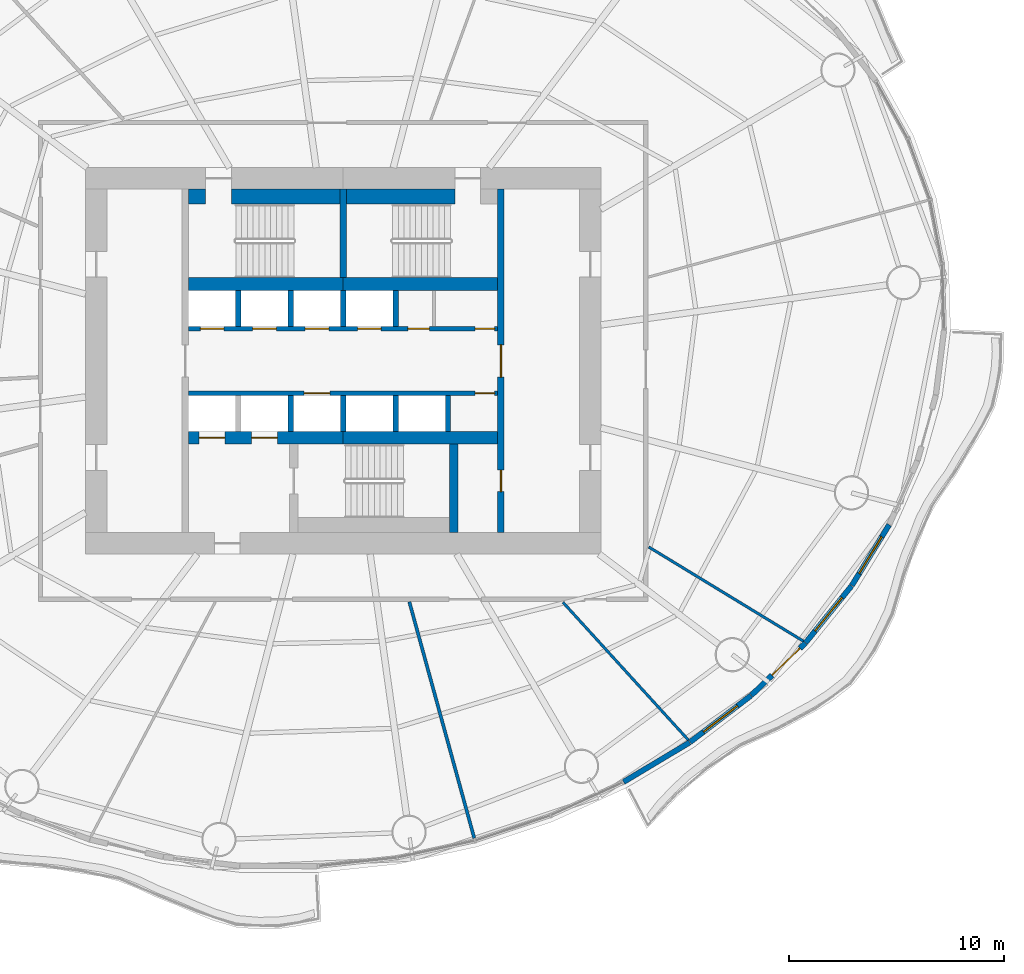
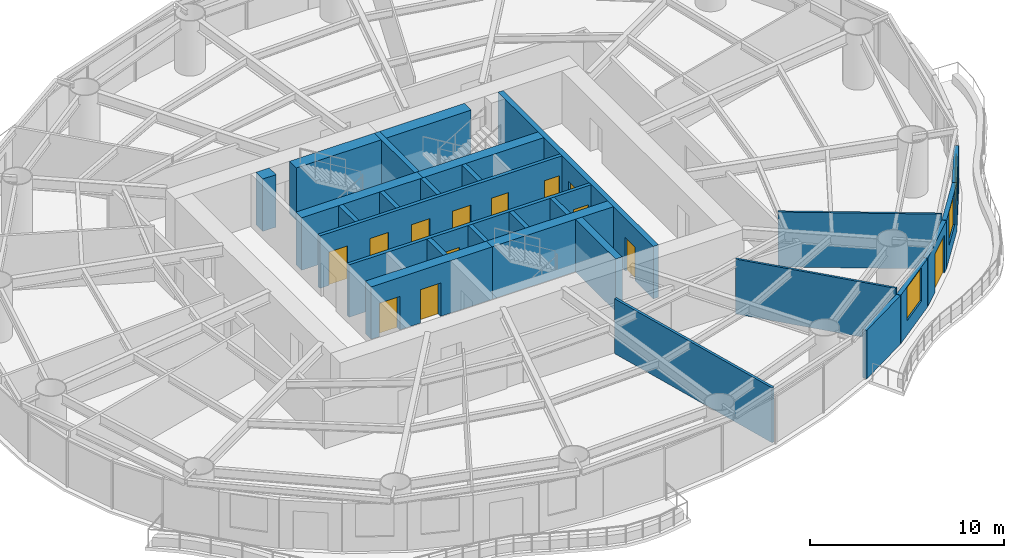
# One storey, part 9 of 16: 28 walls, 13 doors, 3 windows, 16 openings.
"""IFC4 building model written with IfcOpenShell, lengths in metres."""

import ifcopenshell
import ifcopenshell.guid

model = None  # the IFC model being written
_history = None  # IfcOwnerHistory: only IFC2X3 demands one
_inside = {}  # id of a spatial element -> (the spatial element, [elements in it])
_under = {}  # id of a project, library or spatial element -> (it, [spatial elements below it])
_declared = {}  # id of a project -> (the project, [libraries it declares])
_typed = {}  # id of a type object -> (the type object, [elements of that type])
_made_of = {}  # id of a material, layer set ... -> (it, [elements and type objects made of it])


def new_model(schema):
    """Start an empty IFC model of exactly this schema.

    Asked for "IFC4X3", IfcOpenShell would pick the latest addendum, in which some entities
    have other attributes; the version numbers below select the first issue.
    IFC2X3 requires an IfcOwnerHistory on every rooted entity: one is made here for all.
    """
    global model, _history
    if schema == "IFC4X3":
        model = ifcopenshell.file(schema_version=(4, 3, 0, 0))
    else:
        model = ifcopenshell.file(schema=schema)
    _inside.clear()
    _under.clear()
    _declared.clear()
    _typed.clear()
    _made_of.clear()
    _history = None
    if model.schema == "IFC2X3":
        org = make("IfcOrganization", Name="unknown")
        user = make(
            "IfcPersonAndOrganization",
            ThePerson=make("IfcPerson", FamilyName="unknown"),
            TheOrganization=org,
        )
        app = make(
            "IfcApplication",
            ApplicationDeveloper=org,
            Version="unknown",
            ApplicationFullName="unknown",
            ApplicationIdentifier="unknown",
        )
        _history = make(
            "IfcOwnerHistory",
            OwningUser=user,
            OwningApplication=app,
            ChangeAction="ADDED",
            CreationDate=0,
        )
    return model


def make(cls, **values):
    """One entity of the class cls with the attributes given. An attribute that is None is left unset."""
    return model.create_entity(
        cls, **{name: value for name, value in values.items() if value is not None}
    )


def rooted(cls, **values):
    """An entity with a GlobalId (a new one), such as an element, a storey or a relation."""
    return make(cls, GlobalId=ifcopenshell.guid.new(), OwnerHistory=_history, **values)


def si_unit(unit_type, name, prefix=None):
    """IfcSIUnit, for example si_unit("LENGTHUNIT", "METRE", prefix="MILLI")."""
    return make("IfcSIUnit", UnitType=unit_type, Prefix=prefix, Name=name)


def assignment(units):
    """IfcUnitAssignment: the units of a project."""
    return None if units is None else make("IfcUnitAssignment", Units=units)


def point(xyz):
    """IfcCartesianPoint."""
    return None if xyz is None else make("IfcCartesianPoint", Coordinates=xyz)


def direction(xyz):
    """IfcDirection."""
    return None if xyz is None else make("IfcDirection", DirectionRatios=xyz)


def frame(location, z_axis=None, x_axis=None):
    """IfcAxis2Placement3D, a coordinate frame: its origin and axes. An axis left out is left unset."""
    return make(
        "IfcAxis2Placement3D",
        Location=point(location),
        Axis=direction(z_axis),
        RefDirection=direction(x_axis),
    )


def frame_2d(location, x_axis=None):
    """IfcAxis2Placement2D, a coordinate frame in the plane: its origin and x axis."""
    return make(
        "IfcAxis2Placement2D", Location=point(location), RefDirection=direction(x_axis)
    )


def origin():
    """The frame at (0, 0, 0) with its axes left unset."""
    return frame((0.0, 0.0, 0.0))


def place(relative_to, where):
    """IfcLocalPlacement: puts the frame where relative to a parent placement (None: the world)."""
    return make(
        "IfcLocalPlacement", PlacementRelTo=relative_to, RelativePlacement=where
    )


def context(
    kind, dimensions, precision=None, world=None, true_north=None, identifier=None
):
    """IfcGeometricRepresentationContext, for example the 3D "Model" context."""
    return make(
        "IfcGeometricRepresentationContext",
        ContextIdentifier=identifier,
        ContextType=kind,
        CoordinateSpaceDimension=dimensions,
        Precision=precision,
        WorldCoordinateSystem=world,
        TrueNorth=true_north,
    )


def subcontext(parent, identifier, kind, view, scale=None):
    """IfcGeometricRepresentationSubContext, for example "Body" below "Model"."""
    return make(
        "IfcGeometricRepresentationSubContext",
        ContextIdentifier=identifier,
        ContextType=kind,
        ParentContext=parent,
        TargetScale=scale,
        TargetView=view,
    )


def project(units=None, contexts=None):
    """IfcProject with its units and contexts."""
    return rooted(
        "IfcProject",
        Name="project",
        RepresentationContexts=contexts,
        UnitsInContext=assignment(units),
    )


def spatial(cls, under=None, at=None, **own):
    """A site, building, storey or space (cls), placed at a placement, below another one or the project."""
    s = rooted(cls, ObjectPlacement=at, **own)
    if under is not None:
        _under.setdefault(under.id(), (under, []))[1].append(s)
    return s


def profile(cls, at=None, kind="AREA", **sizes):
    """A parametric profile (cls). Its sizes go by their IFC names, for example OverallWidth=200.0."""
    return make(cls, ProfileType=kind, Position=at, **sizes)


def rectangle(**sizes):
    """IfcRectangleProfileDef."""
    return profile("IfcRectangleProfileDef", **sizes)


def extrude(swept, where, along, depth):
    """IfcExtrudedAreaSolid: the profile swept, set in the frame where, extruded along a direction by depth."""
    return make(
        "IfcExtrudedAreaSolid",
        SweptArea=swept,
        Position=where,
        ExtrudedDirection=direction(along),
        Depth=depth,
    )


def shape(context_of_items, identifier, shape_type, items):
    """IfcShapeRepresentation: the items that make up one representation, for example the "Body"."""
    return make(
        "IfcShapeRepresentation",
        ContextOfItems=context_of_items,
        RepresentationIdentifier=identifier,
        RepresentationType=shape_type,
        Items=items,
    )


def material(Name=None, Category=None):
    """IfcMaterial."""
    return make("IfcMaterial", Name=Name, Category=Category)


def layer(
    of_material, thickness, ventilated=None, Name=None, Category=None, Priority=None
):
    """IfcMaterialLayer: one layer of a wall or slab, of a material (None: an air gap)."""
    return make(
        "IfcMaterialLayer",
        Material=of_material,
        LayerThickness=thickness,
        IsVentilated=ventilated,
        Name=Name,
        Category=Category,
        Priority=Priority,
    )


def layer_set(layers, Name=None):
    """IfcMaterialLayerSet."""
    return make("IfcMaterialLayerSet", MaterialLayers=layers, LayerSetName=Name)


def made_of(thing, what):
    """Note that an element or type object is made of a material, layer set ...; save() writes the relation."""
    if what is not None:
        _made_of.setdefault(what.id(), (what, []))[1].append(thing)
    return thing


def type_object(cls, material=None, **own):
    """A type object (cls), such as IfcWallType, which elements share."""
    return made_of(rooted(cls, **own), material)


def element(
    cls,
    number,
    at=None,
    inside=None,
    cuts=None,
    type_object=None,
    material=None,
    context=None,
    identifier="Body",
    shape_type=None,
    held_by="IfcProductDefinitionShape",
    body=None,
    shapes=None,
    **own,
):
    """One element of the class cls, such as IfcWall. Its Tag is "e" and its number.

    at: its placement. inside: the storey or other place that contains it. cuts: it is an
    opening in that element (IfcRelVoidsElement). A single representation is given by context,
    identifier, shape_type and body (its items); several are given by shapes. held_by: the class
    of the entity that holds the representations. save() writes the other relations.
    """
    e = rooted(cls, Tag="e%d" % number, ObjectPlacement=at, **own)
    if body is not None:
        shapes = [shape(context, identifier, shape_type, body)]
    if shapes is not None:
        e.Representation = make(held_by, Representations=shapes)
    if inside is not None:
        _inside.setdefault(inside.id(), (inside, []))[1].append(e)
    if cuts is not None:
        rooted(
            "IfcRelVoidsElement", RelatingBuildingElement=cuts, RelatedOpeningElement=e
        )
    if type_object is not None:
        _typed.setdefault(type_object.id(), (type_object, []))[1].append(e)
    return made_of(e, material)


def fill(opening, filler):
    """IfcRelFillsElement: the door or window that sits in an opening."""
    return rooted(
        "IfcRelFillsElement",
        RelatingOpeningElement=opening,
        RelatedBuildingElement=filler,
    )


def aggregate(whole, parts):
    """IfcRelAggregates: a whole, such as a stair, and the parts it consists of."""
    return rooted("IfcRelAggregates", RelatingObject=whole, RelatedObjects=parts)


def save(model, path):
    """Write the relations noted so far, then the file.

    IfcRelAggregates (storeys below a building ...), IfcRelContainedInSpatialStructure (elements
    in a storey), IfcRelDefinesByType, IfcRelAssociatesMaterial and IfcRelDeclares: one each for
    every whole, place, type object, material and project.
    """
    for whole, parts in _under.values():
        aggregate(whole, parts)
    for where, things in _inside.values():
        rooted(
            "IfcRelContainedInSpatialStructure",
            RelatedElements=things,
            RelatingStructure=where,
        )
    for kind, things in _typed.values():
        rooted("IfcRelDefinesByType", RelatedObjects=things, RelatingType=kind)
    for what, things in _made_of.values():
        rooted("IfcRelAssociatesMaterial", RelatedObjects=things, RelatingMaterial=what)
    for by, libraries in _declared.values():
        rooted("IfcRelDeclares", RelatingContext=by, RelatedDefinitions=libraries)
    model.write(path)


model = new_model("IFC4")

# Units and contexts
model_context = context("Model", 3, precision=1e-05, world=origin(), true_north=direction((0.0, 1.0)))
body_context = subcontext(model_context, "Body", "Model", "MODEL_VIEW")
ifc_project = project(units=[si_unit("LENGTHUNIT", "METRE"), si_unit("AREAUNIT", "SQUARE_METRE"), si_unit("VOLUMEUNIT", "CUBIC_METRE"), si_unit("PLANEANGLEUNIT", "RADIAN"), si_unit("MASSUNIT", "GRAM", prefix="KILO")], contexts=[model_context])

# Site, building, storey
site_placement = place(None, origin())
site = spatial("IfcSite", under=ifc_project, at=site_placement, CompositionType="ELEMENT")
building_placement = place(site_placement, origin())
building = spatial("IfcBuilding", under=site, at=building_placement, Name="Vermilion Reach Broadcast Tower", CompositionType="ELEMENT")
storey_placement = place(building_placement, frame((0.0, 0.0, 95.800048828125)))
storey = spatial("IfcBuildingStorey", under=building, at=storey_placement, Name="L21", CompositionType="ELEMENT", Elevation=95.800048828125)

# Wall, openings, doors
ifc_material_1 = material(Name="Concrete C70", Category="concrete")
ifc_layer_1 = layer(ifc_material_1, 0.300048828125)
ifc_layer_set_1 = layer_set([ifc_layer_1], Name="Core inner wall 300 mm Concrete C70")
wall_type_1 = type_object("IfcWallType", Name="Core inner wall 300 mm Concrete C70", PredefinedType="SHEAR", material=ifc_layer_set_1)
wall_1_placement = place(storey_placement, frame((1.35009765625, -8.0, 0.0), z_axis=(0.0, 0.0, 1.0), x_axis=(0.0, 1.0, 0.0)))
wall_1 = element("IfcWall", 1, at=wall_1_placement, inside=storey, type_object=wall_type_1, Name="L21 core wall ewE", PredefinedType="SHEAR", context=body_context, shape_type="SweptSolid", body=[
    extrude(rectangle(XDim=16.0, YDim=0.300048828125, at=frame_2d((8.0, 0.0))), origin(), (0.0, 0.0, 1.0), 3.300048828125),
])
opening_1_placement = place(wall_1_placement, frame((1.909912109375, 0.0, 0.0)))
opening_1 = element("IfcOpeningElement", 2, at=opening_1_placement, cuts=wall_1, Name="Opening D05", PredefinedType="OPENING", context=body_context, shape_type="SweptSolid", body=[
    extrude(rectangle(XDim=1.0, YDim=2.10009765625, at=frame_2d((0.5, 1.050048828125))), frame((0.0, 0.159912109375, 0.0), z_axis=(0.0, -1.0, 0.0), x_axis=(1.0, 0.0, 0.0)), (0.0, 0.0, 1.0), 0.320068359375),
])
opening_2_placement = place(wall_1_placement, frame((7.25, 0.0, 0.0)))
opening_2 = element("IfcOpeningElement", 3, at=opening_2_placement, cuts=wall_1, Name="Opening D04", PredefinedType="OPENING", context=body_context, shape_type="SweptSolid", body=[
    extrude(rectangle(XDim=1.5, YDim=2.10009765625, at=frame_2d((0.75, 1.050048828125))), frame((0.0, 0.159912109375, 0.0), z_axis=(0.0, -1.0, 0.0), x_axis=(1.0, 0.0, 0.0)), (0.0, 0.0, 1.0), 0.320068359375),
])
ifc_material_2 = material(Name="Painted steel fire door", Category="steel")
door_type_1 = type_object("IfcDoorType", Name="Lift lobby door 1500 x 2100", OperationType="DOUBLE_DOOR_SINGLE_SWING", PredefinedType="NOTDEFINED", material=ifc_material_2)
door_1_placement = place(opening_2_placement, origin())
door_1 = element("IfcDoor", 4, at=door_1_placement, inside=storey, type_object=door_type_1, Name="L21 band door BE", OperationType="DOUBLE_DOOR_SINGLE_SWING", OverallHeight=2.10009765625, OverallWidth=1.5, PredefinedType="NOTDEFINED", context=body_context, shape_type="SweptSolid", body=[
    extrude(rectangle(XDim=1.5, YDim=2.10009765625, at=frame_2d((0.75, 1.050048828125))), frame((0.0, 0.02490234375, 0.0), z_axis=(0.0, -1.0, 0.0), x_axis=(1.0, 0.0, 0.0)), (0.0, 0.0, 1.0), 0.050048828125),
])
fill(opening_2, door_1)
ifc_material_3 = material(Name="Timber door", Category="wood")
door_type_2 = type_object("IfcDoorType", Name="Room door 1000 x 2100", OperationType="NOTDEFINED", PredefinedType="NOTDEFINED", material=ifc_material_3)
door_2_placement = place(opening_1_placement, origin())
door_2 = element("IfcDoor", 5, at=door_2_placement, inside=storey, type_object=door_type_2, Name="L21 door SER", OperationType="SINGLE_SWING_LEFT", OverallHeight=2.10009765625, OverallWidth=1.0, PredefinedType="NOTDEFINED", context=body_context, shape_type="SweptSolid", body=[
    extrude(rectangle(XDim=1.0, YDim=2.10009765625, at=frame_2d((0.5, 1.050048828125))), frame((0.0, 0.02490234375, 0.0), z_axis=(0.0, -1.0, 0.0), x_axis=(1.0, 0.0, 0.0)), (0.0, 0.0, 1.0), 0.050048828125),
])
fill(opening_1, door_2)

# Walls
wall_2_placement = place(storey_placement, frame((-6.0, 3.8798828125, 0.0), z_axis=(0.0, 0.0, 1.0), x_axis=(0.0, 1.0, 0.0)))
element("IfcWall", 6, at=wall_2_placement, inside=storey, type_object=wall_type_1, Name="L21 core wall wc", PredefinedType="SHEAR", context=body_context, shape_type="SweptSolid", body=[
    extrude(rectangle(XDim=4.1201171875, YDim=0.300048828125, at=frame_2d((2.06005859375, 0.0))), origin(), (0.0, 0.0, 1.0), 3.300048828125),
])
ifc_material_4 = material(Name="Concrete C70", Category="concrete")
ifc_layer_2 = layer(ifc_material_4, 0.39990234375)
ifc_layer_set_2 = layer_set([ifc_layer_2], Name="Core inner wall 400 mm Concrete C70")
wall_type_2 = type_object("IfcWallType", Name="Core inner wall 400 mm Concrete C70", PredefinedType="SHEAR", material=ifc_layer_set_2)
wall_3_placement = place(storey_placement, frame((-0.85009765625, -3.8798828125, 0.0), z_axis=(0.0, 0.0, 1.0), x_axis=(0.0, -1.0, 0.0)))
element("IfcWall", 7, at=wall_3_placement, inside=storey, type_object=wall_type_2, Name="L21 core wall wb", PredefinedType="SHEAR", context=body_context, shape_type="SweptSolid", body=[
    extrude(rectangle(XDim=4.1201171875, YDim=0.39990234375, at=frame_2d((2.06005859375, 0.0))), origin(), (0.0, 0.0, 1.0), 3.300048828125),
])
ifc_material_5 = material(Name="Concrete C70", Category="concrete")
ifc_layer_3 = layer(ifc_material_5, 0.60009765625)
ifc_layer_set_3 = layer_set([ifc_layer_3], Name="Core inner wall 600 mm Concrete C70")
wall_type_3 = type_object("IfcWallType", Name="Core inner wall 600 mm Concrete C70", PredefinedType="SHEAR", material=ifc_layer_set_3)
for number, where, z_axis, x_axis, name in (
    (8, (-13.199951171875, 3.580078125, 0.0), (0.0, 0.0, 1.0), (1.0, 0.0, 0.0), "L21 core wall winW"),
    (9, (-6.0, 3.580078125, 0.0), (0.0, 0.0, 1.0), (1.0, 0.0, 0.0), "L21 core wall winE"),
):
    element("IfcWall", number, at=place(storey_placement, frame(where, z_axis=z_axis, x_axis=x_axis)), inside=storey, type_object=wall_type_3, Name=name, PredefinedType="SHEAR", context=body_context, shape_type="SweptSolid", body=[
        extrude(rectangle(XDim=7.199951171875, YDim=0.60009765625, at=frame_2d((3.60009765625, 0.0))), origin(), (0.0, 0.0, 1.0), 3.300048828125),
    ])

# Wall, openings, doors
wall_4_placement = place(storey_placement, frame((-13.199951171875, -3.580078125, 0.0), z_axis=(0.0, 0.0, 1.0), x_axis=(1.0, 0.0, 0.0)))
wall_4 = element("IfcWall", 10, at=wall_4_placement, inside=storey, type_object=wall_type_3, Name="L21 core wall wisW", PredefinedType="SHEAR", context=body_context, shape_type="SweptSolid", body=[
    extrude(rectangle(XDim=7.199951171875, YDim=0.60009765625, at=frame_2d((3.60009765625, 0.0))), origin(), (0.0, 0.0, 1.0), 3.300048828125),
])
opening_3_placement = place(wall_4_placement, frame((0.495849609375, 0.0, 0.0)))
opening_3 = element("IfcOpeningElement", 11, at=opening_3_placement, cuts=wall_4, Name="Opening LD1", PredefinedType="OPENING", context=body_context, shape_type="SweptSolid", body=[
    extrude(rectangle(XDim=1.199951171875, YDim=2.10009765625, at=frame_2d((0.60009765625, 1.050048828125))), frame((0.0, 0.31005859375, 0.0), z_axis=(0.0, -1.0, 0.0), x_axis=(1.0, 0.0, 0.0)), (0.0, 0.0, 1.0), 0.6201171875),
])
opening_4_placement = place(wall_4_placement, frame((2.9375, 0.0, 0.0)))
opening_4 = element("IfcOpeningElement", 12, at=opening_4_placement, cuts=wall_4, Name="Opening LD1", PredefinedType="OPENING", context=body_context, shape_type="SweptSolid", body=[
    extrude(rectangle(XDim=1.199951171875, YDim=2.10009765625, at=frame_2d((0.60009765625, 1.050048828125))), frame((0.0, 0.31005859375, 0.0), z_axis=(0.0, -1.0, 0.0), x_axis=(1.0, 0.0, 0.0)), (0.0, 0.0, 1.0), 0.6201171875),
])
ifc_material_6 = material(Name="Stainless steel", Category="steel")
door_type_3 = type_object("IfcDoorType", Name="Landing door 1200 x 2100", OperationType="DOUBLE_DOOR_SLIDING", PredefinedType="NOTDEFINED", material=ifc_material_6)
door_3_placement = place(opening_3_placement, origin())
door_3 = element("IfcDoor", 13, at=door_3_placement, inside=storey, type_object=door_type_3, Name="L21 landing door FF1", OperationType="DOUBLE_DOOR_SLIDING", OverallHeight=2.10009765625, OverallWidth=1.199951171875, PredefinedType="NOTDEFINED", context=body_context, shape_type="SweptSolid", body=[
    extrude(rectangle(XDim=1.199951171875, YDim=2.10009765625, at=frame_2d((0.60009765625, 1.050048828125))), frame((0.0, 0.02490234375, 0.0), z_axis=(0.0, -1.0, 0.0), x_axis=(1.0, 0.0, 0.0)), (0.0, 0.0, 1.0), 0.050048828125),
])
fill(opening_3, door_3)
door_4_placement = place(opening_4_placement, origin())
door_4 = element("IfcDoor", 14, at=door_4_placement, inside=storey, type_object=door_type_3, Name="L21 landing door FF2", OperationType="DOUBLE_DOOR_SLIDING", OverallHeight=2.10009765625, OverallWidth=1.199951171875, PredefinedType="NOTDEFINED", context=body_context, shape_type="SweptSolid", body=[
    extrude(rectangle(XDim=1.199951171875, YDim=2.10009765625, at=frame_2d((0.60009765625, 1.050048828125))), frame((0.0, 0.02490234375, 0.0), z_axis=(0.0, -1.0, 0.0), x_axis=(1.0, 0.0, 0.0)), (0.0, 0.0, 1.0), 0.050048828125),
])
fill(opening_4, door_4)

# Wall
wall_5_placement = place(storey_placement, frame((-6.0, -3.580078125, 0.0), z_axis=(0.0, 0.0, 1.0), x_axis=(1.0, 0.0, 0.0)))
element("IfcWall", 15, at=wall_5_placement, inside=storey, type_object=wall_type_3, Name="L21 core wall wisE", PredefinedType="SHEAR", context=body_context, shape_type="SweptSolid", body=[
    extrude(rectangle(XDim=7.199951171875, YDim=0.60009765625, at=frame_2d((3.60009765625, 0.0))), origin(), (0.0, 0.0, 1.0), 3.300048828125),
])

# Wall, openings, doors
ifc_material_7 = material(Name="Concrete C50", Category="concrete")
ifc_layer_4 = layer(ifc_material_7, 0.199951171875)
ifc_layer_set_4 = layer_set([ifc_layer_4], Name="Core shaft wall 200 mm Concrete C50")
wall_type_4 = type_object("IfcWallType", Name="Core shaft wall 200 mm Concrete C50", PredefinedType="SHEAR", material=ifc_layer_set_4)
wall_6_placement = place(storey_placement, frame((-13.199951171875, 1.5, 0.0), z_axis=(0.0, 0.0, 1.0), x_axis=(1.0, 0.0, 0.0)))
wall_6 = element("IfcWall", 16, at=wall_6_placement, inside=storey, type_object=wall_type_4, Name="L21 core wall fn", PredefinedType="SHEAR", context=body_context, shape_type="SweptSolid", body=[
    extrude(rectangle(XDim=14.39990234375, YDim=0.199951171875, at=frame_2d((7.199951171875, 0.0))), origin(), (0.0, 0.0, 1.0), 3.300048828125),
])
opening_5_placement = place(wall_6_placement, frame((0.5458984375, 0.0, 0.0)))
opening_5 = element("IfcOpeningElement", 17, at=opening_5_placement, cuts=wall_6, Name="Opening LD2", PredefinedType="OPENING", context=body_context, shape_type="SweptSolid", body=[
    extrude(rectangle(XDim=1.10009765625, YDim=2.10009765625, at=frame_2d((0.550048828125, 1.050048828125))), frame((0.0, 0.10986328125, 0.0), z_axis=(0.0, -1.0, 0.0), x_axis=(1.0, 0.0, 0.0)), (0.0, 0.0, 1.0), 0.219970703125),
])
opening_6_placement = place(wall_6_placement, frame((2.987548828125, 0.0, 0.0)))
opening_6 = element("IfcOpeningElement", 18, at=opening_6_placement, cuts=wall_6, Name="Opening LD2", PredefinedType="OPENING", context=body_context, shape_type="SweptSolid", body=[
    extrude(rectangle(XDim=1.10009765625, YDim=2.10009765625, at=frame_2d((0.550048828125, 1.050048828125))), frame((0.0, 0.10986328125, 0.0), z_axis=(0.0, -1.0, 0.0), x_axis=(1.0, 0.0, 0.0)), (0.0, 0.0, 1.0), 0.219970703125),
])
opening_7_placement = place(wall_6_placement, frame((5.42919921875, 0.0, 0.0)))
opening_7 = element("IfcOpeningElement", 19, at=opening_7_placement, cuts=wall_6, Name="Opening LD2", PredefinedType="OPENING", context=body_context, shape_type="SweptSolid", body=[
    extrude(rectangle(XDim=1.10009765625, YDim=2.10009765625, at=frame_2d((0.550048828125, 1.050048828125))), frame((0.0, 0.10986328125, 0.0), z_axis=(0.0, -1.0, 0.0), x_axis=(1.0, 0.0, 0.0)), (0.0, 0.0, 1.0), 0.219970703125),
])
opening_8_placement = place(wall_6_placement, frame((7.870849609375, 0.0, 0.0)))
opening_8 = element("IfcOpeningElement", 20, at=opening_8_placement, cuts=wall_6, Name="Opening LD2", PredefinedType="OPENING", context=body_context, shape_type="SweptSolid", body=[
    extrude(rectangle(XDim=1.10009765625, YDim=2.10009765625, at=frame_2d((0.550048828125, 1.050048828125))), frame((0.0, 0.10986328125, 0.0), z_axis=(0.0, -1.0, 0.0), x_axis=(1.0, 0.0, 0.0)), (0.0, 0.0, 1.0), 0.219970703125),
])
opening_9_placement = place(wall_6_placement, frame((10.209716796875, 0.0, 0.0)))
opening_9 = element("IfcOpeningElement", 21, at=opening_9_placement, cuts=wall_6, Name="Opening D07", PredefinedType="OPENING", context=body_context, shape_type="SweptSolid", body=[
    extrude(rectangle(XDim=1.0, YDim=2.10009765625, at=frame_2d((0.5, 1.050048828125))), frame((0.0, 0.10986328125, 0.0), z_axis=(0.0, -1.0, 0.0), x_axis=(1.0, 0.0, 0.0)), (0.0, 0.0, 1.0), 0.219970703125),
])
opening_10_placement = place(wall_6_placement, frame((13.35009765625, 0.0, 0.0)))
opening_10 = element("IfcOpeningElement", 22, at=opening_10_placement, cuts=wall_6, Name="Opening D06", PredefinedType="OPENING", context=body_context, shape_type="SweptSolid", body=[
    extrude(rectangle(XDim=0.89990234375, YDim=2.10009765625, at=frame_2d((0.449951171875, 1.050048828125))), frame((0.0, 0.10986328125, 0.0), z_axis=(0.0, -1.0, 0.0), x_axis=(1.0, 0.0, 0.0)), (0.0, 0.0, 1.0), 0.219970703125),
])
ifc_material_8 = material(Name="Timber door", Category="wood")
door_type_4 = type_object("IfcDoorType", Name="Accessible WC door 1000 x 2100", OperationType="NOTDEFINED", PredefinedType="NOTDEFINED", material=ifc_material_8)
door_5_placement = place(opening_9_placement, origin())
door_5 = element("IfcDoor", 23, at=door_5_placement, inside=storey, type_object=door_type_4, Name="L21 door Accessible WC", OperationType="SINGLE_SWING_RIGHT", OverallHeight=2.10009765625, OverallWidth=1.0, PredefinedType="NOTDEFINED", context=body_context, shape_type="SweptSolid", body=[
    extrude(rectangle(XDim=1.0, YDim=2.10009765625, at=frame_2d((0.5, 1.050048828125))), frame((0.0, 0.02490234375, 0.0), z_axis=(0.0, -1.0, 0.0), x_axis=(1.0, 0.0, 0.0)), (0.0, 0.0, 1.0), 0.050048828125),
])
fill(opening_9, door_5)
ifc_material_9 = material(Name="Stainless steel", Category="steel")
door_type_5 = type_object("IfcDoorType", Name="Landing door 1100 x 2100", OperationType="DOUBLE_DOOR_SLIDING", PredefinedType="NOTDEFINED", material=ifc_material_9)
door_6_placement = place(opening_5_placement, origin())
door_6 = element("IfcDoor", 24, at=door_6_placement, inside=storey, type_object=door_type_5, Name="L21 landing door LR1", OperationType="DOUBLE_DOOR_SLIDING", OverallHeight=2.10009765625, OverallWidth=1.10009765625, PredefinedType="NOTDEFINED", context=body_context, shape_type="SweptSolid", body=[
    extrude(rectangle(XDim=1.10009765625, YDim=2.10009765625, at=frame_2d((0.550048828125, 1.050048828125))), frame((0.0, 0.02490234375, 0.0), z_axis=(0.0, -1.0, 0.0), x_axis=(1.0, 0.0, 0.0)), (0.0, 0.0, 1.0), 0.050048828125),
])
fill(opening_5, door_6)
door_7_placement = place(opening_6_placement, origin())
door_7 = element("IfcDoor", 25, at=door_7_placement, inside=storey, type_object=door_type_5, Name="L21 landing door LR2", OperationType="DOUBLE_DOOR_SLIDING", OverallHeight=2.10009765625, OverallWidth=1.10009765625, PredefinedType="NOTDEFINED", context=body_context, shape_type="SweptSolid", body=[
    extrude(rectangle(XDim=1.10009765625, YDim=2.10009765625, at=frame_2d((0.550048828125, 1.050048828125))), frame((0.0, 0.02490234375, 0.0), z_axis=(0.0, -1.0, 0.0), x_axis=(1.0, 0.0, 0.0)), (0.0, 0.0, 1.0), 0.050048828125),
])
fill(opening_6, door_7)
door_8_placement = place(opening_7_placement, origin())
door_8 = element("IfcDoor", 26, at=door_8_placement, inside=storey, type_object=door_type_5, Name="L21 landing door LR3", OperationType="DOUBLE_DOOR_SLIDING", OverallHeight=2.10009765625, OverallWidth=1.10009765625, PredefinedType="NOTDEFINED", context=body_context, shape_type="SweptSolid", body=[
    extrude(rectangle(XDim=1.10009765625, YDim=2.10009765625, at=frame_2d((0.550048828125, 1.050048828125))), frame((0.0, 0.02490234375, 0.0), z_axis=(0.0, -1.0, 0.0), x_axis=(1.0, 0.0, 0.0)), (0.0, 0.0, 1.0), 0.050048828125),
])
fill(opening_7, door_8)
door_9_placement = place(opening_8_placement, origin())
door_9 = element("IfcDoor", 27, at=door_9_placement, inside=storey, type_object=door_type_5, Name="L21 landing door LR4", OperationType="DOUBLE_DOOR_SLIDING", OverallHeight=2.10009765625, OverallWidth=1.10009765625, PredefinedType="NOTDEFINED", context=body_context, shape_type="SweptSolid", body=[
    extrude(rectangle(XDim=1.10009765625, YDim=2.10009765625, at=frame_2d((0.550048828125, 1.050048828125))), frame((0.0, 0.02490234375, 0.0), z_axis=(0.0, -1.0, 0.0), x_axis=(1.0, 0.0, 0.0)), (0.0, 0.0, 1.0), 0.050048828125),
])
fill(opening_8, door_9)
ifc_material_10 = material(Name="Timber door", Category="wood")
door_type_6 = type_object("IfcDoorType", Name="WC door 900 x 2100", OperationType="NOTDEFINED", PredefinedType="NOTDEFINED", material=ifc_material_10)
door_10_placement = place(opening_10_placement, origin())
door_10 = element("IfcDoor", 28, at=door_10_placement, inside=storey, type_object=door_type_6, Name="L21 door Female WC", OperationType="SINGLE_SWING_RIGHT", OverallHeight=2.10009765625, OverallWidth=0.89990234375, PredefinedType="NOTDEFINED", context=body_context, shape_type="SweptSolid", body=[
    extrude(rectangle(XDim=0.89990234375, YDim=2.10009765625, at=frame_2d((0.449951171875, 1.050048828125))), frame((0.0, 0.02490234375, 0.0), z_axis=(0.0, -1.0, 0.0), x_axis=(1.0, 0.0, 0.0)), (0.0, 0.0, 1.0), 0.050048828125),
])
fill(opening_10, door_10)

wall_7_placement = place(storey_placement, frame((1.199951171875, -1.5, 0.0), z_axis=(0.0, 0.0, 1.0), x_axis=(-1.0, 0.0, 0.0)))
wall_7 = element("IfcWall", 29, at=wall_7_placement, inside=storey, type_object=wall_type_4, Name="L21 core wall fs", PredefinedType="SHEAR", context=body_context, shape_type="SweptSolid", body=[
    extrude(rectangle(XDim=14.39990234375, YDim=0.199951171875, at=frame_2d((7.199951171875, 0.0))), origin(), (0.0, 0.0, 1.0), 3.300048828125),
])
opening_11_placement = place(wall_7_placement, frame((7.82080078125, 0.0, 0.0)))
opening_11 = element("IfcOpeningElement", 30, at=opening_11_placement, cuts=wall_7, Name="Opening LD1", PredefinedType="OPENING", context=body_context, shape_type="SweptSolid", body=[
    extrude(rectangle(XDim=1.199951171875, YDim=2.10009765625, at=frame_2d((0.60009765625, 1.050048828125))), frame((0.0, 0.10986328125, 0.0), z_axis=(0.0, -1.0, 0.0), x_axis=(1.0, 0.0, 0.0)), (0.0, 0.0, 1.0), 0.219970703125),
])
opening_12_placement = place(wall_7_placement, frame((0.14990234375, 0.0, 0.0)))
opening_12 = element("IfcOpeningElement", 31, at=opening_12_placement, cuts=wall_7, Name="Opening D06", PredefinedType="OPENING", context=body_context, shape_type="SweptSolid", body=[
    extrude(rectangle(XDim=0.89990234375, YDim=2.10009765625, at=frame_2d((0.449951171875, 1.050048828125))), frame((0.0, 0.10986328125, 0.0), z_axis=(0.0, -1.0, 0.0), x_axis=(1.0, 0.0, 0.0)), (0.0, 0.0, 1.0), 0.219970703125),
])
door_11_placement = place(opening_11_placement, origin())
door_11 = element("IfcDoor", 32, at=door_11_placement, inside=storey, type_object=door_type_3, Name="L21 landing door SV1", OperationType="DOUBLE_DOOR_SLIDING", OverallHeight=2.10009765625, OverallWidth=1.199951171875, PredefinedType="NOTDEFINED", context=body_context, shape_type="SweptSolid", body=[
    extrude(rectangle(XDim=1.199951171875, YDim=2.10009765625, at=frame_2d((0.60009765625, 1.050048828125))), frame((0.0, 0.02490234375, 0.0), z_axis=(0.0, -1.0, 0.0), x_axis=(1.0, 0.0, 0.0)), (0.0, 0.0, 1.0), 0.050048828125),
])
fill(opening_11, door_11)
door_12_placement = place(opening_12_placement, origin())
door_12 = element("IfcDoor", 33, at=door_12_placement, inside=storey, type_object=door_type_6, Name="L21 door Male WC", OperationType="SINGLE_SWING_LEFT", OverallHeight=2.10009765625, OverallWidth=0.89990234375, PredefinedType="NOTDEFINED", context=body_context, shape_type="SweptSolid", body=[
    extrude(rectangle(XDim=0.89990234375, YDim=2.10009765625, at=frame_2d((0.449951171875, 1.050048828125))), frame((0.0, 0.02490234375, 0.0), z_axis=(0.0, -1.0, 0.0), x_axis=(1.0, 0.0, 0.0)), (0.0, 0.0, 1.0), 0.050048828125),
])
fill(opening_12, door_12)

# Walls
ifc_material_11 = material(Name="Concrete C50", Category="concrete")
ifc_layer_5 = layer(ifc_material_11, 0.25)
ifc_layer_set_5 = layer_set([ifc_layer_5], Name="Core shaft wall 250 mm Concrete C50")
wall_type_5 = type_object("IfcWallType", Name="Core shaft wall 250 mm Concrete C50", PredefinedType="SHEAR", material=ifc_layer_set_5)
for number, where, z_axis, x_axis, name in (
    (34, (-10.88330078125, 1.60009765625, 0.0), (0.0, 0.0, 1.0), (0.0, 1.0, 0.0), "L21 core wall psN0"),
    (35, (-8.441650390625, 1.60009765625, 0.0), (0.0, 0.0, 1.0), (0.0, 1.0, 0.0), "L21 core wall psN1"),
    (36, (-6.0, 1.60009765625, 0.0), (0.0, 0.0, 1.0), (0.0, 1.0, 0.0), "L21 core wall psN2"),
    (37, (-3.558349609375, 1.60009765625, 0.0), (0.0, 0.0, 1.0), (0.0, 1.0, 0.0), "L21 core wall psN3"),
    (38, (-8.441650390625, -1.60009765625, 0.0), (0.0, 0.0, 1.0), (0.0, -1.0, 0.0), "L21 core wall psS1"),
    (39, (-6.0, -1.60009765625, 0.0), (0.0, 0.0, 1.0), (0.0, -1.0, 0.0), "L21 core wall psS2"),
    (40, (-3.558349609375, -1.60009765625, 0.0), (0.0, 0.0, 1.0), (0.0, -1.0, 0.0), "L21 core wall psS3"),
    (41, (-1.11669921875, -1.60009765625, 0.0), (0.0, 0.0, 1.0), (0.0, -1.0, 0.0), "L21 core wall psS4"),
):
    element("IfcWall", number, at=place(storey_placement, frame(where, z_axis=z_axis, x_axis=x_axis)), inside=storey, type_object=wall_type_5, Name=name, PredefinedType="SHEAR", context=body_context, shape_type="SweptSolid", body=[
        extrude(rectangle(XDim=1.679931640625, YDim=0.25, at=frame_2d((0.83984375, 0.0))), origin(), (0.0, 0.0, 1.0), 3.300048828125),
    ])
ifc_material_12 = material(Name="Concrete C70", Category="concrete")
ifc_layer_6 = layer(ifc_material_12, 0.699951171875)
ifc_layer_set_6 = layer_set([ifc_layer_6], Name="Core stair wall 700 mm Concrete C70")
wall_type_6 = type_object("IfcWallType", Name="Core stair wall 700 mm Concrete C70", PredefinedType="SHEAR", material=ifc_layer_set_6)
wall_8_placement = place(storey_placement, frame((-13.199951171875, 7.64990234375, 0.0), z_axis=(0.0, 0.0, 1.0), x_axis=(1.0, 0.0, 0.0)))
element("IfcWall", 42, at=wall_8_placement, inside=storey, type_object=wall_type_6, Name="L21 core wall l1a", PredefinedType="SHEAR", context=body_context, shape_type="SweptSolid", body=[
    extrude(rectangle(XDim=0.800048828125, YDim=0.699951171875, at=frame_2d((0.39990234375, 0.0))), origin(), (0.0, 0.0, 1.0), 3.300048828125),
])
for number, where, z_axis, x_axis, name in (
    (43, (-11.199951171875, 7.64990234375, 0.0), (0.0, 0.0, 1.0), (1.0, 0.0, 0.0), "L21 core wall l1b"),
    (44, (-5.85009765625, 7.64990234375, 0.0), (0.0, 0.0, 1.0), (1.0, 0.0, 0.0), "L21 core wall l2a"),
):
    element("IfcWall", number, at=place(storey_placement, frame(where, z_axis=z_axis, x_axis=x_axis)), inside=storey, type_object=wall_type_6, Name=name, PredefinedType="SHEAR", context=body_context, shape_type="SweptSolid", body=[
        extrude(rectangle(XDim=5.050048828125, YDim=0.699951171875, at=frame_2d((2.52490234375, 0.0))), origin(), (0.0, 0.0, 1.0), 3.300048828125),
    ])
ifc_material_13 = material(Name="Fire-rated plasterboard on steel stud", Category="steel")
ifc_layer_7 = layer(ifc_material_13, 0.125)
ifc_layer_set_7 = layer_set([ifc_layer_7], Name="Partition 125 fire-rated stud")
wall_type_7 = type_object("IfcWallType", Name="Partition 125 fire-rated stud", PredefinedType="PARTITIONING", material=ifc_layer_set_7)
wall_9_placement = place(storey_placement, frame((10.077880859375, -17.65771484375, 0.0), z_axis=(0.0, 0.0, 1.0), x_axis=(-0.673256605977, 0.739408914275, 0.0)))
element("IfcWall", 45, at=wall_9_placement, inside=storey, type_object=wall_type_7, Name="Partition 21.09", PredefinedType="PARTITIONING", context=body_context, shape_type="SweptSolid", body=[
    extrude(rectangle(XDim=8.676513671875, YDim=0.125, at=frame_2d((4.33837890625, 0.0))), origin(), (0.0, 0.0, 1.0), 3.449951171875),
])
wall_10_placement = place(storey_placement, frame((15.4365234375, -13.052490234375, 0.0), z_axis=(0.0, 0.0, 1.0), x_axis=(-0.85412644294, 0.520065399224, 0.0)))
element("IfcWall", 46, at=wall_10_placement, inside=storey, type_object=wall_type_7, Name="Partition 21.10", PredefinedType="PARTITIONING", context=body_context, shape_type="SweptSolid", body=[
    extrude(rectangle(XDim=8.4345703125, YDim=0.125, at=frame_2d((4.21728515625, 0.0))), origin(), (0.0, 0.0, 1.0), 3.449951171875),
])
ifc_material_14 = material(Name="Lightweight concrete block, plastered", Category="concrete")
ifc_layer_8 = layer(ifc_material_14, 0.14990234375)
ifc_layer_set_8 = layer_set([ifc_layer_8], Name="Partition 150 lightweight block")
wall_type_8 = type_object("IfcWallType", Name="Partition 150 lightweight block", PredefinedType="PARTITIONING", material=ifc_layer_set_8)
wall_11_placement = place(storey_placement, frame((0.105712890625, -22.226806640625, 0.0), z_axis=(0.0, 0.0, 1.0), x_axis=(-0.264895984115, 0.964276992155, 0.0)))
element("IfcWall", 47, at=wall_11_placement, inside=storey, type_object=wall_type_8, Name="Partition 21.08", PredefinedType="PARTITIONING", context=body_context, shape_type="SweptSolid", body=[
    extrude(rectangle(XDim=11.41455078125, YDim=0.14990234375, at=frame_2d((5.707275390625, 0.0))), origin(), (0.0, 0.0, 1.0), 3.449951171875),
])
ifc_material_15 = material(Name="Terracotta rainscreen cladding", Category="masonry")
ifc_layer_9 = layer(ifc_material_15, 0.25)
ifc_layer_set_9 = layer_set([ifc_layer_9], Name="Terracotta rainscreen wall 250")
wall_type_9 = type_object("IfcWallType", Name="Terracotta rainscreen wall 250", PredefinedType="SOLIDWALL", material=ifc_layer_set_9)
wall_12_placement = place(storey_placement, frame((7.0634765625, -19.607666015625, 0.0), z_axis=(0.0, 0.0, 1.0), x_axis=(0.858051412051, 0.51356379767, 0.0)))
element("IfcWall", 48, at=wall_12_placement, inside=storey, type_object=wall_type_9, Name="External wall L21 38", PredefinedType="SOLIDWALL", context=body_context, shape_type="SweptSolid", body=[
    extrude(rectangle(XDim=3.583984375, YDim=0.25, at=frame_2d((1.7919921875, 0.0))), origin(), (0.0, 0.0, 1.0), 3.050048828125),
])

# Wall, opening, window
wall_13_placement = place(storey_placement, frame((10.15673828125, -17.754638671875, 0.0), z_axis=(0.0, 0.0, 1.0), x_axis=(0.794806214146, 0.606863314063, 0.0)))
wall_13 = element("IfcWall", 49, at=wall_13_placement, inside=storey, type_object=wall_type_9, Name="External wall L21 39", PredefinedType="SOLIDWALL", context=body_context, shape_type="SweptSolid", body=[
    extrude(rectangle(XDim=3.568359375, YDim=0.25, at=frame_2d((1.7841796875, 0.0))), origin(), (0.0, 0.0, 1.0), 3.050048828125),
])
opening_13_placement = place(wall_13_placement, frame((0.7841796875, 0.0, 0.89990234375)))
opening_13 = element("IfcOpeningElement", 50, at=opening_13_placement, cuts=wall_13, Name="Opening W03", PredefinedType="OPENING", context=body_context, shape_type="SweptSolid", body=[
    extrude(rectangle(XDim=2.0, YDim=2.10009765625, at=frame_2d((1.0, 1.050048828125))), frame((0.0, 0.135009765625, 0.0), z_axis=(0.0, -1.0, 0.0), x_axis=(1.0, 0.0, 0.0)), (0.0, 0.0, 1.0), 0.27001953125),
])
ifc_material_16 = material(Name="Low-e laminated clear glass in aluminium frame", Category="aluminium")
window_type = type_object("IfcWindowType", Name="Punched window 2000 x 2100 sill 900", PartitioningType="SINGLE_PANEL", PredefinedType="WINDOW", material=ifc_material_16)
window_1_placement = place(opening_13_placement, origin())
window_1 = element("IfcWindow", 51, at=window_1_placement, inside=storey, type_object=window_type, Name="Window L21 39", OverallHeight=2.10009765625, OverallWidth=2.0, PartitioningType="SINGLE_PANEL", PredefinedType="WINDOW", context=body_context, shape_type="SweptSolid", body=[
    extrude(rectangle(XDim=2.0, YDim=2.10009765625, at=frame_2d((1.0, 1.050048828125))), frame((0.0, 0.030029296875, 0.0), z_axis=(0.0, -1.0, 0.0), x_axis=(1.0, 0.0, 0.0)), (0.0, 0.0, 1.0), 0.06005859375),
])
fill(opening_13, window_1)

# Wall, opening, door
wall_14_placement = place(storey_placement, frame((13.010009765625, -15.574462890625, 0.0), z_axis=(0.0, 0.0, 1.0), x_axis=(0.718578482656, 0.695445874432, 0.0)))
wall_14 = element("IfcWall", 52, at=wall_14_placement, inside=storey, type_object=wall_type_9, Name="External wall L21 40", PredefinedType="SOLIDWALL", context=body_context, shape_type="SweptSolid", body=[
    extrude(rectangle(XDim=3.493408203125, YDim=0.25, at=frame_2d((1.74658203125, 0.0))), origin(), (0.0, 0.0, 1.0), 3.050048828125),
])
opening_14_placement = place(wall_14_placement, frame((1.346923828125, 0.0, 0.0)))
opening_14 = element("IfcOpeningElement", 53, at=opening_14_placement, cuts=wall_14, Name="Opening D70", PredefinedType="OPENING", context=body_context, shape_type="SweptSolid", body=[
    extrude(rectangle(XDim=1.800048828125, YDim=2.39990234375, at=frame_2d((0.89990234375, 1.199951171875))), frame((0.0, 0.135009765625, 0.0), z_axis=(0.0, -1.0, 0.0), x_axis=(1.0, 0.0, 0.0)), (0.0, 0.0, 1.0), 0.27001953125),
])
ifc_material_17 = material(Name="Low-e laminated clear glass in aluminium frame", Category="aluminium")
door_type_7 = type_object("IfcDoorType", Name="Balcony sliding door 1800 x 2400", OperationType="DOUBLE_DOOR_SLIDING", PredefinedType="DOOR", material=ifc_material_17)
door_13_placement = place(opening_14_placement, origin())
door_13 = element("IfcDoor", 54, at=door_13_placement, inside=storey, type_object=door_type_7, Name="Balcony door L21 run 10", OperationType="DOUBLE_DOOR_SLIDING", OverallHeight=2.39990234375, OverallWidth=1.800048828125, PredefinedType="DOOR", context=body_context, shape_type="SweptSolid", body=[
    extrude(rectangle(XDim=1.800048828125, YDim=2.39990234375, at=frame_2d((0.89990234375, 1.199951171875))), frame((0.0, 0.02490234375, 0.0), z_axis=(0.0, -1.0, 0.0), x_axis=(1.0, 0.0, 0.0)), (0.0, 0.0, 1.0), 0.050048828125),
])
fill(opening_14, door_13)

# Wall, opening, window
wall_15_placement = place(storey_placement, frame((15.535888671875, -13.127685546875, 0.0), z_axis=(0.0, 0.0, 1.0), x_axis=(0.62851383429, 0.777798405826, 0.0)))
wall_15 = element("IfcWall", 55, at=wall_15_placement, inside=storey, type_object=wall_type_9, Name="External wall L21 41", PredefinedType="SOLIDWALL", context=body_context, shape_type="SweptSolid", body=[
    extrude(rectangle(XDim=3.408203125, YDim=0.25, at=frame_2d((1.7041015625, 0.0))), origin(), (0.0, 0.0, 1.0), 3.050048828125),
])
opening_15_placement = place(wall_15_placement, frame((0.7041015625, 0.0, 0.89990234375)))
opening_15 = element("IfcOpeningElement", 56, at=opening_15_placement, cuts=wall_15, Name="Opening W03", PredefinedType="OPENING", context=body_context, shape_type="SweptSolid", body=[
    extrude(rectangle(XDim=2.0, YDim=2.10009765625, at=frame_2d((1.0, 1.050048828125))), frame((0.0, 0.135009765625, 0.0), z_axis=(0.0, -1.0, 0.0), x_axis=(1.0, 0.0, 0.0)), (0.0, 0.0, 1.0), 0.27001953125),
])
window_2_placement = place(opening_15_placement, origin())
window_2 = element("IfcWindow", 57, at=window_2_placement, inside=storey, type_object=window_type, Name="Window L21 41", OverallHeight=2.10009765625, OverallWidth=2.0, PartitioningType="SINGLE_PANEL", PredefinedType="WINDOW", context=body_context, shape_type="SweptSolid", body=[
    extrude(rectangle(XDim=2.0, YDim=2.10009765625, at=frame_2d((1.0, 1.050048828125))), frame((0.0, 0.030029296875, 0.0), z_axis=(0.0, -1.0, 0.0), x_axis=(1.0, 0.0, 0.0)), (0.0, 0.0, 1.0), 0.06005859375),
])
fill(opening_15, window_2)

wall_16_placement = place(storey_placement, frame((17.69189453125, -10.457275390625, 0.0), z_axis=(0.0, 0.0, 1.0), x_axis=(0.523740167925, 0.851878064339, 0.0)))
wall_16 = element("IfcWall", 58, at=wall_16_placement, inside=storey, type_object=wall_type_9, Name="External wall L21 42", PredefinedType="SOLIDWALL", context=body_context, shape_type="SweptSolid", body=[
    extrude(rectangle(XDim=3.317626953125, YDim=0.25, at=frame_2d((1.65869140625, 0.0))), origin(), (0.0, 0.0, 1.0), 3.050048828125),
])
opening_16_placement = place(wall_16_placement, frame((0.65869140625, 0.0, 0.89990234375)))
opening_16 = element("IfcOpeningElement", 59, at=opening_16_placement, cuts=wall_16, Name="Opening W03", PredefinedType="OPENING", context=body_context, shape_type="SweptSolid", body=[
    extrude(rectangle(XDim=2.0, YDim=2.10009765625, at=frame_2d((1.0, 1.050048828125))), frame((0.0, 0.135009765625, 0.0), z_axis=(0.0, -1.0, 0.0), x_axis=(1.0, 0.0, 0.0)), (0.0, 0.0, 1.0), 0.27001953125),
])
window_3_placement = place(opening_16_placement, origin())
window_3 = element("IfcWindow", 60, at=window_3_placement, inside=storey, type_object=window_type, Name="Window L21 42", OverallHeight=2.10009765625, OverallWidth=2.0, PartitioningType="SINGLE_PANEL", PredefinedType="WINDOW", context=body_context, shape_type="SweptSolid", body=[
    extrude(rectangle(XDim=2.0, YDim=2.10009765625, at=frame_2d((1.0, 1.050048828125))), frame((0.0, 0.030029296875, 0.0), z_axis=(0.0, -1.0, 0.0), x_axis=(1.0, 0.0, 0.0)), (0.0, 0.0, 1.0), 0.06005859375),
])
fill(opening_16, window_3)

save(model, "model.ifc")
